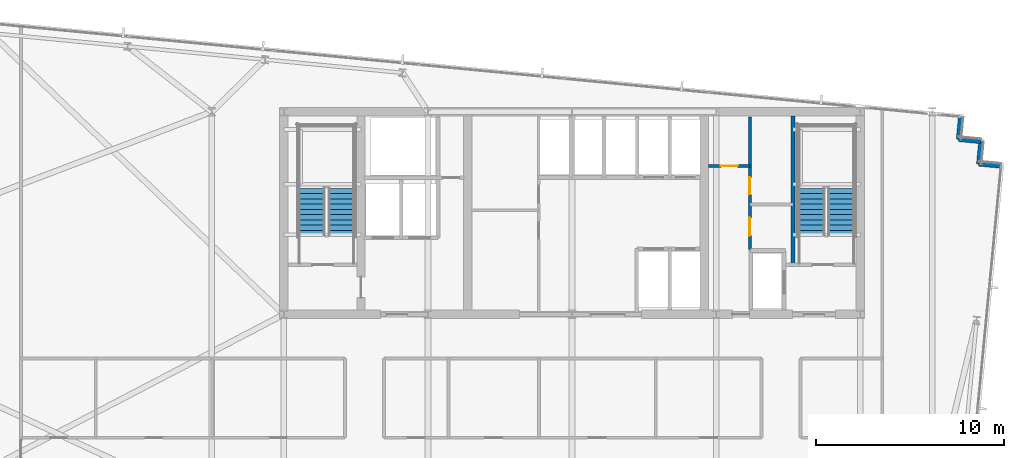
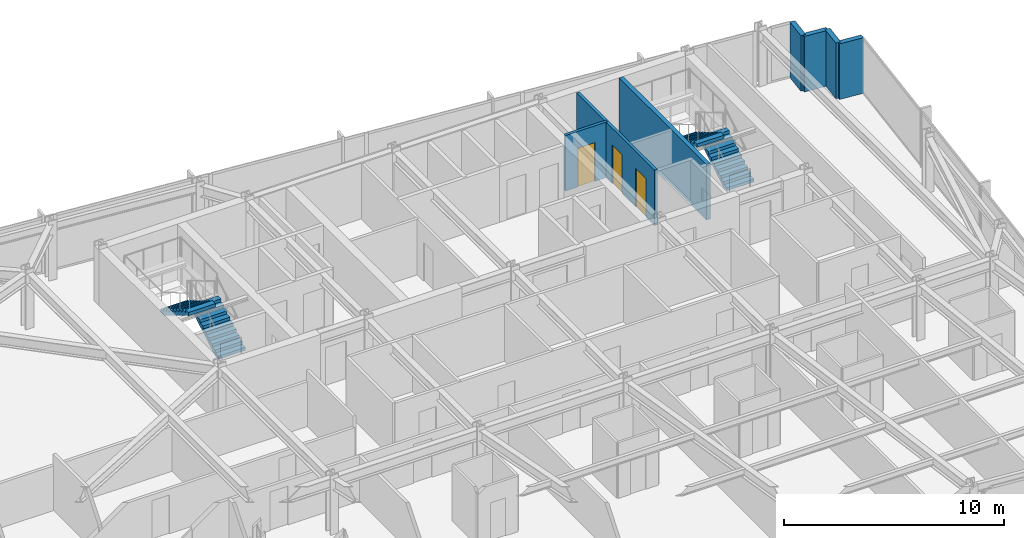
# One storey, part 32 of 37: 7 walls, 4 stair flights, 3 doors, 3 openings, 2 elements without a shape of their own.
"""IFC4 building model written with IfcOpenShell, lengths in metres."""

from ifc_helpers import new_model, si_unit, direction, frame, frame_2d, origin, place, context, subcontext, project, spatial, polyline, rectangle, outline, extrude, material, layer, layer_set, type_object, element, fill, aggregate, save


model = new_model("IFC4")

# Units and contexts
model_context = context("Model", 3, precision=1e-05, world=origin(), true_north=direction((0.0, 1.0)))
body_context = subcontext(model_context, "Body", "Model", "MODEL_VIEW")
ifc_project = project(units=[si_unit("LENGTHUNIT", "METRE"), si_unit("AREAUNIT", "SQUARE_METRE"), si_unit("VOLUMEUNIT", "CUBIC_METRE"), si_unit("PLANEANGLEUNIT", "RADIAN"), si_unit("MASSUNIT", "GRAM", prefix="KILO")], contexts=[model_context])

# Site, building, storey
site_placement = place(None, origin())
site = spatial("IfcSite", under=ifc_project, at=site_placement, CompositionType="ELEMENT")
building_placement = place(site_placement, origin())
building = spatial("IfcBuilding", under=site, at=building_placement, Name="Yelkora Congress Tower", CompositionType="ELEMENT")
storey_placement = place(building_placement, frame((0.0, 0.0, 175.39990234375)))
storey = spatial("IfcBuildingStorey", under=building, at=storey_placement, Name="L48", CompositionType="ELEMENT", Elevation=175.39990234375)

# Walls
ifc_material_1 = material(Name="Concrete C50/60", Category="concrete")
ifc_layer_1 = layer(ifc_material_1, 0.219970703125)
ifc_layer_set_1 = layer_set([ifc_layer_1], Name="Concrete C50/60")
wall_type_1 = type_object("IfcWallType", Name="WALL-CORE-INT-220", PredefinedType="SHEAR", material=ifc_layer_set_1)
wall_1_placement = place(storey_placement, frame((50.179931640625, 38.050048828125, 0.0), z_axis=(0.0, 0.0, 1.0), x_axis=(0.0, 1.0, 0.0)))
element("IfcWall", 1, at=wall_1_placement, inside=storey, type_object=wall_type_1, Name="L48 ST02 West Stair Shear Wall", PredefinedType="SHEAR", context=body_context, shape_type="SweptSolid", body=[
    extrude(rectangle(XDim=7.925048828125, YDim=0.219970703125, at=frame_2d((3.96240234375, 0.0))), origin(), (0.0, 0.0, 1.0), 3.080078125),
])
ifc_material_2 = material(Name="Concrete C40/50", Category="concrete")
ifc_layer_2 = layer(ifc_material_2, 0.239990234375)
ifc_layer_set_2 = layer_set([ifc_layer_2], Name="Concrete C40/50")
wall_type_2 = type_object("IfcWallType", Name="WALL-EXT-LIMESTONE-240", PredefinedType="SOLIDWALL", material=ifc_layer_set_2)
for number, where, z_axis, x_axis, name in (
    (2, (59.108642578125, 45.923095703125, 0.0), (0.0, 0.0, 1.0), (-0.095817067274, -0.995398960025, 0.0), "L48 Serrated Corner Limestone Pier 11"),
    (3, (58.99365234375, 44.728515625, 0.0), (0.0, 0.0, 1.0), (0.995398960025, -0.095817067274, 0.0), "L48 Serrated Corner Limestone Pier 12"),
    (4, (60.188232421875, 44.613525390625, 0.0), (0.0, 0.0, 1.0), (-0.096018626938, -0.995379537303, 0.0), "L48 Serrated Corner Limestone Pier 13"),
    (5, (60.072998046875, 43.4189453125, 0.0), (0.0, 0.0, 1.0), (0.995398960025, -0.095817067274, 0.0), "L48 Serrated Corner Limestone Pier 14"),
):
    element("IfcWall", number, at=place(storey_placement, frame(where, z_axis=z_axis, x_axis=x_axis)), inside=storey, type_object=wall_type_2, Name=name, PredefinedType="SOLIDWALL", context=body_context, shape_type="SweptSolid", body=[
        extrude(rectangle(XDim=1.2001953125, YDim=0.239990234375, at=frame_2d((0.60009765625, 0.0))), origin(), (0.0, 0.0, 1.0), 3.080078125),
    ])

# Wall, opening, door
ifc_material_3 = material(Name="Acoustic metal-stud gypsum partition", Category="gypsum")
ifc_layer_3 = layer(ifc_material_3, 0.14990234375)
ifc_layer_set_3 = layer_set([ifc_layer_3], Name="Acoustic metal-stud gypsum partition")
wall_type_3 = type_object("IfcWallType", Name="WALL-INT-150-NR", PredefinedType="PARTITIONING", material=ifc_layer_set_3)
wall_2_placement = place(storey_placement, frame((45.679931640625, 43.31005859375, 0.0), z_axis=(0.0, 0.0, 1.0), x_axis=(1.0, 0.0, 0.0)))
wall_2 = element("IfcWall", 6, at=wall_2_placement, inside=storey, type_object=wall_type_3, Name="L48 Partition Wall 24", PredefinedType="PARTITIONING", context=body_context, shape_type="SweptSolid", body=[
    extrude(rectangle(XDim=2.199951171875, YDim=0.14990234375, at=frame_2d((1.10009765625, 0.0))), origin(), (0.0, 0.0, 1.0), 3.080078125),
])
opening_1_placement = place(wall_2_placement, frame((0.64990234375, 0.0, 0.0)))
opening_1 = element("IfcOpeningElement", 7, at=opening_1_placement, cuts=wall_2, Name="Opening DR-090N", PredefinedType="OPENING", context=body_context, shape_type="SweptSolid", body=[
    extrude(rectangle(XDim=0.89990234375, YDim=2.14990234375, at=frame_2d((0.449951171875, 1.074951171875))), frame((0.0, 0.0849609375, 0.0), z_axis=(0.0, -1.0, 0.0), x_axis=(1.0, 0.0, 0.0)), (0.0, 0.0, 1.0), 0.169921875),
])
ifc_material_4 = material(Name="Moisture-resistant laminate door leaf", Category="wood")
door_type_1 = type_object("IfcDoorType", Name="DOOR-INT-900", OperationType="NOTDEFINED", PredefinedType="DOOR", material=ifc_material_4)
door_1_placement = place(opening_1_placement, origin())
door_1 = element("IfcDoor", 8, at=door_1_placement, inside=storey, type_object=door_type_1, Name="L48 Male WC Door", OperationType="SINGLE_SWING_RIGHT", OverallHeight=2.14990234375, OverallWidth=0.89990234375, PredefinedType="DOOR", context=body_context, shape_type="SweptSolid", body=[
    extrude(rectangle(XDim=0.89990234375, YDim=2.14990234375, at=frame_2d((0.449951171875, 1.074951171875))), frame((0.0, 0.02490234375, 0.0), z_axis=(0.0, -1.0, 0.0), x_axis=(1.0, 0.0, 0.0)), (0.0, 0.0, 1.0), 0.050048828125),
])
fill(opening_1, door_1)

# Wall, openings, doors
wall_3_placement = place(storey_placement, frame((47.8798828125, 38.85009765625, 0.0), z_axis=(0.0, 0.0, 1.0), x_axis=(0.0, 1.0, 0.0)))
wall_3 = element("IfcWall", 9, at=wall_3_placement, inside=storey, type_object=wall_type_3, Name="L48 Partition Wall 26", PredefinedType="PARTITIONING", context=body_context, shape_type="SweptSolid", body=[
    extrude(rectangle(XDim=7.06982421875, YDim=0.14990234375, at=frame_2d((3.534912109375, 0.0))), origin(), (0.0, 0.0, 1.0), 3.080078125),
])
opening_2_placement = place(wall_3_placement, frame((0.75, 0.0, 0.0)))
opening_2 = element("IfcOpeningElement", 10, at=opening_2_placement, cuts=wall_3, Name="Opening DR-095N", PredefinedType="OPENING", context=body_context, shape_type="SweptSolid", body=[
    extrude(rectangle(XDim=0.949951171875, YDim=2.14990234375, at=frame_2d((0.47509765625, 1.074951171875))), frame((0.0, 0.0849609375, 0.0), z_axis=(0.0, -1.0, 0.0), x_axis=(1.0, 0.0, 0.0)), (0.0, 0.0, 1.0), 0.169921875),
])
opening_3_placement = place(wall_3_placement, frame((2.949951171875, 0.0, 0.0)))
opening_3 = element("IfcOpeningElement", 11, at=opening_3_placement, cuts=wall_3, Name="Opening DR-090N", PredefinedType="OPENING", context=body_context, shape_type="SweptSolid", body=[
    extrude(rectangle(XDim=0.89990234375, YDim=2.14990234375, at=frame_2d((0.449951171875, 1.074951171875))), frame((0.0, 0.0849609375, 0.0), z_axis=(0.0, -1.0, 0.0), x_axis=(1.0, 0.0, 0.0)), (0.0, 0.0, 1.0), 0.169921875),
])
door_2_placement = place(opening_3_placement, origin())
door_2 = element("IfcDoor", 12, at=door_2_placement, inside=storey, type_object=door_type_1, Name="L48 Female WC Door", OperationType="SINGLE_SWING_RIGHT", OverallHeight=2.14990234375, OverallWidth=0.89990234375, PredefinedType="DOOR", context=body_context, shape_type="SweptSolid", body=[
    extrude(rectangle(XDim=0.89990234375, YDim=2.14990234375, at=frame_2d((0.449951171875, 1.074951171875))), frame((0.0, 0.02490234375, 0.0), z_axis=(0.0, -1.0, 0.0), x_axis=(1.0, 0.0, 0.0)), (0.0, 0.0, 1.0), 0.050048828125),
])
fill(opening_3, door_2)
ifc_material_5 = material(Name="Acoustic laminated timber office door", Category="wood")
door_type_2 = type_object("IfcDoorType", Name="DOOR-INT-950", OperationType="NOTDEFINED", PredefinedType="DOOR", material=ifc_material_5)
door_3_placement = place(opening_2_placement, origin())
door_3 = element("IfcDoor", 13, at=door_3_placement, inside=storey, type_object=door_type_2, Name="L48 Accessible WC Door", OperationType="SINGLE_SWING_LEFT", OverallHeight=2.14990234375, OverallWidth=0.949951171875, PredefinedType="DOOR", context=body_context, shape_type="SweptSolid", body=[
    extrude(rectangle(XDim=0.949951171875, YDim=2.14990234375, at=frame_2d((0.47509765625, 1.074951171875))), frame((0.0, 0.02490234375, 0.0), z_axis=(0.0, -1.0, 0.0), x_axis=(1.0, 0.0, 0.0)), (0.0, 0.0, 1.0), 0.050048828125),
])
fill(opening_2, door_3)

# Stair, stair flights
stair_type = type_object("IfcStairType", Name="STAIR-HT-1420-R20-165", PredefinedType="HALF_TURN_STAIR", material=ifc_material_2)
stair_1_placement = place(storey_placement, origin())
stair_1 = element("IfcStair", 14, at=stair_1_placement, inside=storey, type_object=stair_type, Name="West Core Protected Exit Stair ST-01 (L48)", PredefinedType="HALF_TURN_STAIR")
stair_flight_type = type_object("IfcStairFlightType", Name="FLIGHT-1420-N10-R165-G280", PredefinedType="STRAIGHT", material=ifc_material_2)
stair_flight_1_placement = place(storey_placement, frame((26.110107421875, 39.60009765625, 0.0), z_axis=(0.0, 0.0, 1.0), x_axis=(0.0, 1.0, 0.0)))
stair_flight_1 = element("IfcStairFlight", 15, at=stair_flight_1_placement, type_object=stair_flight_type, Name="ST-01 L48 Flight 1", NumberOfRisers=10, NumberOfTreads=9, PredefinedType="STRAIGHT", RiserHeight=0.165, TreadLength=0.28, context=body_context, shape_type="SweptSolid", body=[
    extrude(outline(polyline([(0.0, 0.0), (0.0, 0.1650390625), (0.280029296875, 0.1650390625), (0.280029296875, 0.330078125), (0.56005859375, 0.330078125), (0.56005859375, 0.4951171875), (0.840087890625, 0.4951171875), (0.840087890625, 0.659912109375), (1.1201171875, 0.659912109375), (1.1201171875, 0.824951171875), (1.39990234375, 0.824951171875), (1.39990234375, 0.989990234375), (1.679931640625, 0.989990234375), (1.679931640625, 1.155029296875), (1.9599609375, 1.155029296875), (1.9599609375, 1.320068359375), (2.239990234375, 1.320068359375), (2.239990234375, 1.485107421875), (2.52001953125, 1.485107421875), (2.52001953125, 1.64990234375), (2.52001953125, 1.29931640625), (0.31494140625, 0.0), (0.0, 0.0)])), frame((0.0, 0.7099609375, 0.0), z_axis=(0.0, -1.0, 0.0), x_axis=(1.0, 0.0, 0.0)), (0.0, 0.0, 1.0), 1.419921875),
])
stair_flight_2_placement = place(storey_placement, frame((24.530029296875, 42.1201171875, 1.650146484375), z_axis=(0.0, 0.0, 1.0), x_axis=(0.0, -1.0, 0.0)))
stair_flight_2 = element("IfcStairFlight", 16, at=stair_flight_2_placement, type_object=stair_flight_type, Name="ST-01 L48 Flight 2", NumberOfRisers=10, NumberOfTreads=9, PredefinedType="STRAIGHT", RiserHeight=0.165, TreadLength=0.28, context=body_context, shape_type="SweptSolid", body=[
    extrude(outline(polyline([(0.0, 0.0), (0.0, 0.1650390625), (0.280029296875, 0.1650390625), (0.280029296875, 0.330078125), (0.56005859375, 0.330078125), (0.56005859375, 0.4951171875), (0.840087890625, 0.4951171875), (0.840087890625, 0.659912109375), (1.1201171875, 0.659912109375), (1.1201171875, 0.824951171875), (1.39990234375, 0.824951171875), (1.39990234375, 0.989990234375), (1.679931640625, 0.989990234375), (1.679931640625, 1.155029296875), (1.9599609375, 1.155029296875), (1.9599609375, 1.320068359375), (2.239990234375, 1.320068359375), (2.239990234375, 1.485107421875), (2.52001953125, 1.485107421875), (2.52001953125, 1.64990234375), (2.52001953125, 1.29931640625), (0.31494140625, 0.0), (0.0, 0.0)])), frame((0.0, 0.7099609375, 0.0), z_axis=(0.0, -1.0, 0.0), x_axis=(1.0, 0.0, 0.0)), (0.0, 0.0, 1.0), 1.419921875),
])
aggregate(stair_1, [stair_flight_1, stair_flight_2])

stair_2_placement = place(storey_placement, origin())
stair_2 = element("IfcStair", 17, at=stair_2_placement, inside=storey, type_object=stair_type, Name="East Core Protected Exit Stair ST-02 (L48)", PredefinedType="HALF_TURN_STAIR")
stair_flight_3_placement = place(storey_placement, frame((52.75, 39.60009765625, 0.0), z_axis=(0.0, 0.0, 1.0), x_axis=(0.0, 1.0, 0.0)))
stair_flight_3 = element("IfcStairFlight", 18, at=stair_flight_3_placement, type_object=stair_flight_type, Name="ST-02 L48 Flight 1", NumberOfRisers=10, NumberOfTreads=9, PredefinedType="STRAIGHT", RiserHeight=0.165, TreadLength=0.28, context=body_context, shape_type="SweptSolid", body=[
    extrude(outline(polyline([(0.0, 0.0), (0.0, 0.1650390625), (0.280029296875, 0.1650390625), (0.280029296875, 0.330078125), (0.56005859375, 0.330078125), (0.56005859375, 0.4951171875), (0.840087890625, 0.4951171875), (0.840087890625, 0.659912109375), (1.1201171875, 0.659912109375), (1.1201171875, 0.824951171875), (1.39990234375, 0.824951171875), (1.39990234375, 0.989990234375), (1.679931640625, 0.989990234375), (1.679931640625, 1.155029296875), (1.9599609375, 1.155029296875), (1.9599609375, 1.320068359375), (2.239990234375, 1.320068359375), (2.239990234375, 1.485107421875), (2.52001953125, 1.485107421875), (2.52001953125, 1.64990234375), (2.52001953125, 1.29931640625), (0.31494140625, 0.0), (0.0, 0.0)])), frame((0.0, 0.7099609375, 0.0), z_axis=(0.0, -1.0, 0.0), x_axis=(1.0, 0.0, 0.0)), (0.0, 0.0, 1.0), 1.419921875),
])
stair_flight_4_placement = place(storey_placement, frame((51.169921875, 42.1201171875, 1.650146484375), z_axis=(0.0, 0.0, 1.0), x_axis=(0.0, -1.0, 0.0)))
stair_flight_4 = element("IfcStairFlight", 19, at=stair_flight_4_placement, type_object=stair_flight_type, Name="ST-02 L48 Flight 2", NumberOfRisers=10, NumberOfTreads=9, PredefinedType="STRAIGHT", RiserHeight=0.165, TreadLength=0.28, context=body_context, shape_type="SweptSolid", body=[
    extrude(outline(polyline([(0.0, 0.0), (0.0, 0.1650390625), (0.280029296875, 0.1650390625), (0.280029296875, 0.330078125), (0.56005859375, 0.330078125), (0.56005859375, 0.4951171875), (0.840087890625, 0.4951171875), (0.840087890625, 0.659912109375), (1.1201171875, 0.659912109375), (1.1201171875, 0.824951171875), (1.39990234375, 0.824951171875), (1.39990234375, 0.989990234375), (1.679931640625, 0.989990234375), (1.679931640625, 1.155029296875), (1.9599609375, 1.155029296875), (1.9599609375, 1.320068359375), (2.239990234375, 1.320068359375), (2.239990234375, 1.485107421875), (2.52001953125, 1.485107421875), (2.52001953125, 1.64990234375), (2.52001953125, 1.29931640625), (0.31494140625, 0.0), (0.0, 0.0)])), frame((0.0, 0.7099609375, 0.0), z_axis=(0.0, -1.0, 0.0), x_axis=(1.0, 0.0, 0.0)), (0.0, 0.0, 1.0), 1.419921875),
])
aggregate(stair_2, [stair_flight_3, stair_flight_4])

save(model, "model.ifc")
